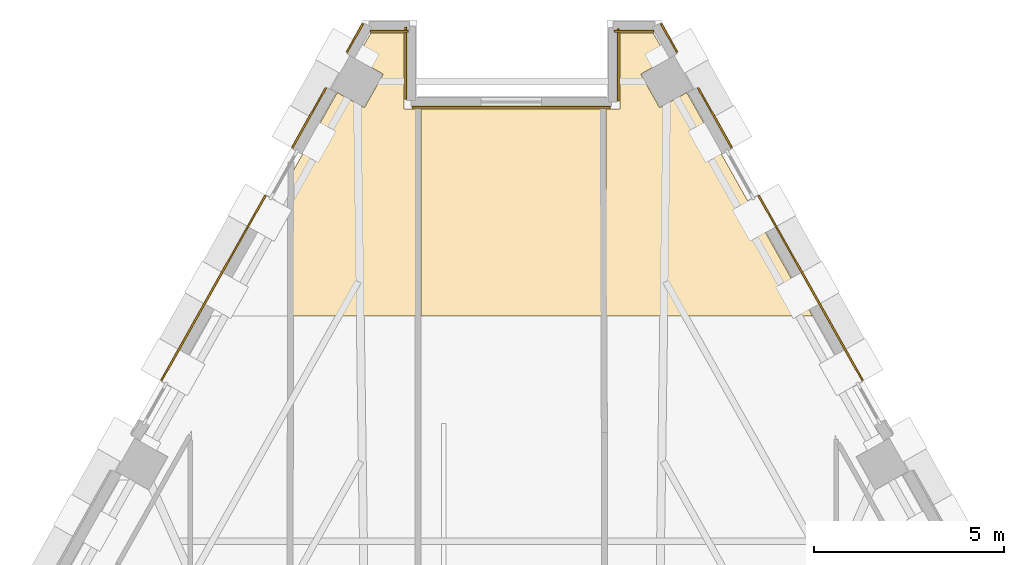
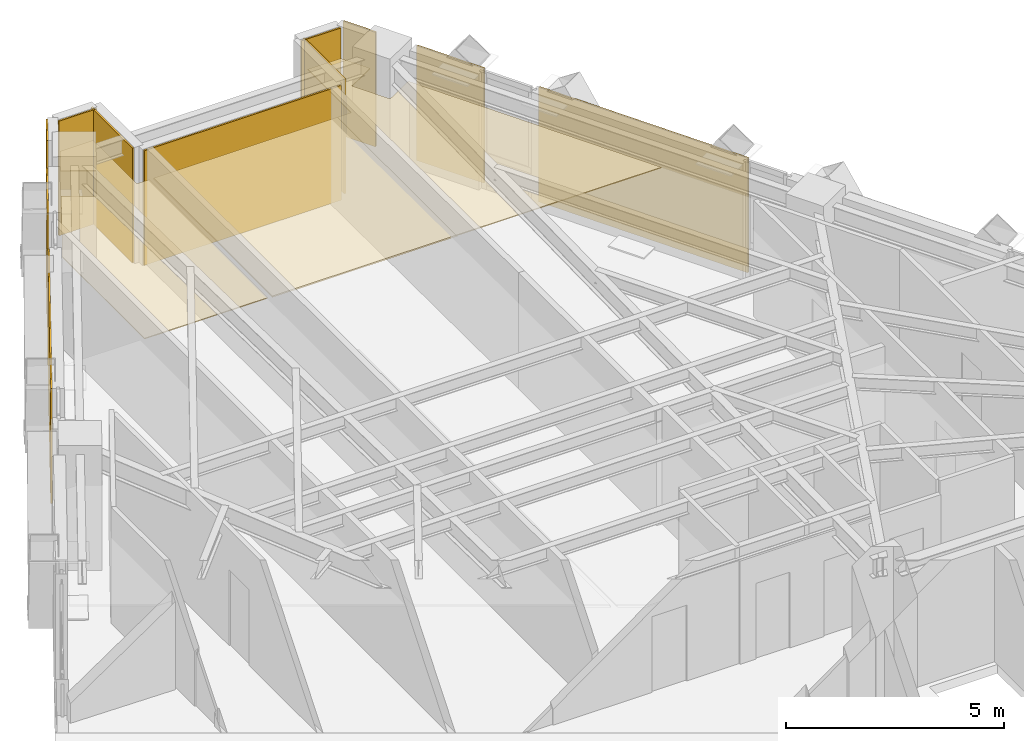
# One storey, part 13 of 13: 14 coverings.
"""IFC4 building model written with IfcOpenShell, lengths in metres."""

import ifcopenshell
import ifcopenshell.guid

model = None  # the IFC model being written
_history = None  # IfcOwnerHistory: only IFC2X3 demands one
_inside = {}  # id of a spatial element -> (the spatial element, [elements in it])
_under = {}  # id of a project, library or spatial element -> (it, [spatial elements below it])
_declared = {}  # id of a project -> (the project, [libraries it declares])
_typed = {}  # id of a type object -> (the type object, [elements of that type])
_made_of = {}  # id of a material, layer set ... -> (it, [elements and type objects made of it])


def new_model(schema):
    """Start an empty IFC model of exactly this schema.

    Asked for "IFC4X3", IfcOpenShell would pick the latest addendum, in which some entities
    have other attributes; the version numbers below select the first issue.
    IFC2X3 requires an IfcOwnerHistory on every rooted entity: one is made here for all.
    """
    global model, _history
    if schema == "IFC4X3":
        model = ifcopenshell.file(schema_version=(4, 3, 0, 0))
    else:
        model = ifcopenshell.file(schema=schema)
    _inside.clear()
    _under.clear()
    _declared.clear()
    _typed.clear()
    _made_of.clear()
    _history = None
    if model.schema == "IFC2X3":
        org = make("IfcOrganization", Name="unknown")
        user = make(
            "IfcPersonAndOrganization",
            ThePerson=make("IfcPerson", FamilyName="unknown"),
            TheOrganization=org,
        )
        app = make(
            "IfcApplication",
            ApplicationDeveloper=org,
            Version="unknown",
            ApplicationFullName="unknown",
            ApplicationIdentifier="unknown",
        )
        _history = make(
            "IfcOwnerHistory",
            OwningUser=user,
            OwningApplication=app,
            ChangeAction="ADDED",
            CreationDate=0,
        )
    return model


def make(cls, **values):
    """One entity of the class cls with the attributes given. An attribute that is None is left unset."""
    return model.create_entity(
        cls, **{name: value for name, value in values.items() if value is not None}
    )


def rooted(cls, **values):
    """An entity with a GlobalId (a new one), such as an element, a storey or a relation."""
    return make(cls, GlobalId=ifcopenshell.guid.new(), OwnerHistory=_history, **values)


def si_unit(unit_type, name, prefix=None):
    """IfcSIUnit, for example si_unit("LENGTHUNIT", "METRE", prefix="MILLI")."""
    return make("IfcSIUnit", UnitType=unit_type, Prefix=prefix, Name=name)


def assignment(units):
    """IfcUnitAssignment: the units of a project."""
    return None if units is None else make("IfcUnitAssignment", Units=units)


def point(xyz):
    """IfcCartesianPoint."""
    return None if xyz is None else make("IfcCartesianPoint", Coordinates=xyz)


def direction(xyz):
    """IfcDirection."""
    return None if xyz is None else make("IfcDirection", DirectionRatios=xyz)


def frame(location, z_axis=None, x_axis=None):
    """IfcAxis2Placement3D, a coordinate frame: its origin and axes. An axis left out is left unset."""
    return make(
        "IfcAxis2Placement3D",
        Location=point(location),
        Axis=direction(z_axis),
        RefDirection=direction(x_axis),
    )


def origin():
    """The frame at (0, 0, 0) with its axes left unset."""
    return frame((0.0, 0.0, 0.0))


def place(relative_to, where):
    """IfcLocalPlacement: puts the frame where relative to a parent placement (None: the world)."""
    return make(
        "IfcLocalPlacement", PlacementRelTo=relative_to, RelativePlacement=where
    )


def context(
    kind, dimensions, precision=None, world=None, true_north=None, identifier=None
):
    """IfcGeometricRepresentationContext, for example the 3D "Model" context."""
    return make(
        "IfcGeometricRepresentationContext",
        ContextIdentifier=identifier,
        ContextType=kind,
        CoordinateSpaceDimension=dimensions,
        Precision=precision,
        WorldCoordinateSystem=world,
        TrueNorth=true_north,
    )


def subcontext(parent, identifier, kind, view, scale=None):
    """IfcGeometricRepresentationSubContext, for example "Body" below "Model"."""
    return make(
        "IfcGeometricRepresentationSubContext",
        ContextIdentifier=identifier,
        ContextType=kind,
        ParentContext=parent,
        TargetScale=scale,
        TargetView=view,
    )


def project(units=None, contexts=None):
    """IfcProject with its units and contexts."""
    return rooted(
        "IfcProject",
        Name="project",
        RepresentationContexts=contexts,
        UnitsInContext=assignment(units),
    )


def spatial(cls, under=None, at=None, **own):
    """A site, building, storey or space (cls), placed at a placement, below another one or the project."""
    s = rooted(cls, ObjectPlacement=at, **own)
    if under is not None:
        _under.setdefault(under.id(), (under, []))[1].append(s)
    return s


def polyline(points):
    """IfcPolyline through the points."""
    return make("IfcPolyline", Points=[point(p) for p in points])


def outline(outer, holes=None, kind="AREA"):
    """IfcArbitraryClosedProfileDef: a profile drawn as a closed curve; with holes, ...WithVoids."""
    if holes is None:
        return make("IfcArbitraryClosedProfileDef", ProfileType=kind, OuterCurve=outer)
    return make(
        "IfcArbitraryProfileDefWithVoids",
        ProfileType=kind,
        OuterCurve=outer,
        InnerCurves=holes,
    )


def extrude(swept, where, along, depth):
    """IfcExtrudedAreaSolid: the profile swept, set in the frame where, extruded along a direction by depth."""
    return make(
        "IfcExtrudedAreaSolid",
        SweptArea=swept,
        Position=where,
        ExtrudedDirection=direction(along),
        Depth=depth,
    )


def shape(context_of_items, identifier, shape_type, items):
    """IfcShapeRepresentation: the items that make up one representation, for example the "Body"."""
    return make(
        "IfcShapeRepresentation",
        ContextOfItems=context_of_items,
        RepresentationIdentifier=identifier,
        RepresentationType=shape_type,
        Items=items,
    )


def material(Name=None, Category=None):
    """IfcMaterial."""
    return make("IfcMaterial", Name=Name, Category=Category)


def layer(
    of_material, thickness, ventilated=None, Name=None, Category=None, Priority=None
):
    """IfcMaterialLayer: one layer of a wall or slab, of a material (None: an air gap)."""
    return make(
        "IfcMaterialLayer",
        Material=of_material,
        LayerThickness=thickness,
        IsVentilated=ventilated,
        Name=Name,
        Category=Category,
        Priority=Priority,
    )


def layer_set(layers, Name=None):
    """IfcMaterialLayerSet."""
    return make("IfcMaterialLayerSet", MaterialLayers=layers, LayerSetName=Name)


def made_of(thing, what):
    """Note that an element or type object is made of a material, layer set ...; save() writes the relation."""
    if what is not None:
        _made_of.setdefault(what.id(), (what, []))[1].append(thing)
    return thing


def type_object(cls, material=None, **own):
    """A type object (cls), such as IfcWallType, which elements share."""
    return made_of(rooted(cls, **own), material)


def element(
    cls,
    number,
    at=None,
    inside=None,
    cuts=None,
    type_object=None,
    material=None,
    context=None,
    identifier="Body",
    shape_type=None,
    held_by="IfcProductDefinitionShape",
    body=None,
    shapes=None,
    **own,
):
    """One element of the class cls, such as IfcWall. Its Tag is "e" and its number.

    at: its placement. inside: the storey or other place that contains it. cuts: it is an
    opening in that element (IfcRelVoidsElement). A single representation is given by context,
    identifier, shape_type and body (its items); several are given by shapes. held_by: the class
    of the entity that holds the representations. save() writes the other relations.
    """
    e = rooted(cls, Tag="e%d" % number, ObjectPlacement=at, **own)
    if body is not None:
        shapes = [shape(context, identifier, shape_type, body)]
    if shapes is not None:
        e.Representation = make(held_by, Representations=shapes)
    if inside is not None:
        _inside.setdefault(inside.id(), (inside, []))[1].append(e)
    if cuts is not None:
        rooted(
            "IfcRelVoidsElement", RelatingBuildingElement=cuts, RelatedOpeningElement=e
        )
    if type_object is not None:
        _typed.setdefault(type_object.id(), (type_object, []))[1].append(e)
    return made_of(e, material)


def aggregate(whole, parts):
    """IfcRelAggregates: a whole, such as a stair, and the parts it consists of."""
    return rooted("IfcRelAggregates", RelatingObject=whole, RelatedObjects=parts)


def save(model, path):
    """Write the relations noted so far, then the file.

    IfcRelAggregates (storeys below a building ...), IfcRelContainedInSpatialStructure (elements
    in a storey), IfcRelDefinesByType, IfcRelAssociatesMaterial and IfcRelDeclares: one each for
    every whole, place, type object, material and project.
    """
    for whole, parts in _under.values():
        aggregate(whole, parts)
    for where, things in _inside.values():
        rooted(
            "IfcRelContainedInSpatialStructure",
            RelatedElements=things,
            RelatingStructure=where,
        )
    for kind, things in _typed.values():
        rooted("IfcRelDefinesByType", RelatedObjects=things, RelatingType=kind)
    for what, things in _made_of.values():
        rooted("IfcRelAssociatesMaterial", RelatedObjects=things, RelatingMaterial=what)
    for by, libraries in _declared.values():
        rooted("IfcRelDeclares", RelatingContext=by, RelatedDefinitions=libraries)
    model.write(path)


model = new_model("IFC4")

# Units and contexts
model_context = context("Model", 3, precision=1e-05, world=origin(), true_north=direction((0.0, 1.0)))
body_context = subcontext(model_context, "Body", "Model", "MODEL_VIEW")
ifc_project = project(units=[si_unit("LENGTHUNIT", "METRE"), si_unit("AREAUNIT", "SQUARE_METRE"), si_unit("VOLUMEUNIT", "CUBIC_METRE"), si_unit("PLANEANGLEUNIT", "RADIAN"), si_unit("MASSUNIT", "GRAM", prefix="KILO")], contexts=[model_context])

# Site, building, storey
site_placement = place(None, origin())
site = spatial("IfcSite", under=ifc_project, at=site_placement, CompositionType="ELEMENT")
building_placement = place(site_placement, origin())
building = spatial("IfcBuilding", under=site, at=building_placement, Name="Quenlor Broadcast Tower", CompositionType="ELEMENT")
storey_placement = place(building_placement, frame((0.0, 0.0, 172.0)))
storey = spatial("IfcBuildingStorey", under=building, at=storey_placement, Name="L47", CompositionType="ELEMENT", Elevation=172.0)

# Coverings
ifc_material_1 = material(Name="Acoustic Mineral Fibre Board", Category="other")
ifc_layer_1 = layer(ifc_material_1, 0.02490234375)
ifc_layer_set_1 = layer_set([ifc_layer_1], Name="Acoustic Perforated Mineral Tile Ceiling 25")
covering_type_1 = type_object("IfcCoveringType", Name="Acoustic Perforated Mineral Tile Ceiling 25", PredefinedType="CEILING", material=ifc_layer_set_1)
covering_1_placement = place(storey_placement, frame((0.0, 0.0, 2.375)))
element("IfcCovering", 1, at=covering_1_placement, inside=storey, type_object=covering_type_1, Name="L47 Acoustic Ceiling L47-28-2", PredefinedType="CEILING", context=body_context, shape_type="SweptSolid", body=[
    extrude(outline(polyline([(2.469970703125, 18.10009765625), (2.840087890625, 18.10009765625), (2.840087890625, 20.10009765625), (3.71630859375, 20.10009765625), (4.100341796875, 19.416748046875), (3.387451171875, 19.015869140625), (3.885498046875, 18.13037109375), (4.598388671875, 18.53125), (7.90673828125, 12.64990234375), (2.469970703125, 12.64990234375), (2.469970703125, 18.10009765625)])), origin(), (0.0, 0.0, 1.0), 0.02490234375),
])
covering_2_placement = place(storey_placement, frame((0.0, 0.0, 2.375)))
element("IfcCovering", 2, at=covering_2_placement, inside=storey, type_object=covering_type_1, Name="L47 Acoustic Ceiling L47-30-2", PredefinedType="CEILING", context=body_context, shape_type="SweptSolid", body=[
    extrude(outline(polyline([(-2.5146484375, 12.64990234375), (-5.780029296875, 12.64990234375), (-5.780029296875, 16.430908203125), (-4.598388671875, 18.53125), (-3.885498046875, 18.13037109375), (-3.387451171875, 19.015869140625), (-4.100341796875, 19.416748046875), (-3.71630859375, 20.10009765625), (-2.840087890625, 20.10009765625), (-2.840087890625, 18.10009765625), (-2.5146484375, 18.10009765625), (-2.5146484375, 12.64990234375)])), origin(), (0.0, 0.0, 1.0), 0.02490234375),
])
ifc_material_2 = material(Name="Acoustic Gypsum Board", Category="other")
ifc_layer_2 = layer(ifc_material_2, 0.0400390625)
ifc_layer_set_2 = layer_set([ifc_layer_2], Name="Broadcast Studio Spring Isolated Ceiling 40")
covering_type_2 = type_object("IfcCoveringType", Name="Broadcast Studio Spring Isolated Ceiling 40", PredefinedType="CEILING", material=ifc_layer_set_2)
covering_3_placement = place(storey_placement, frame((0.0, 0.0, 2.360107421875)))
element("IfcCovering", 3, at=covering_3_placement, inside=storey, type_object=covering_type_2, Name="L47 Acoustic Ceiling L47-29-2", PredefinedType="CEILING", context=body_context, shape_type="SweptSolid", body=[
    extrude(outline(polyline([(-2.394775390625, 18.10009765625), (2.5, 18.10009765625), (2.5, 12.64990234375), (-2.394775390625, 12.64990234375), (-2.394775390625, 18.10009765625)])), origin(), (0.0, 0.0, 1.0), 0.039794921875),
])
ifc_material_3 = material(Name="Architectural Terracotta Ceramic", Category="masonry")
ifc_layer_3 = layer(ifc_material_3, 0.044921875)
ifc_layer_set_3 = layer_set([ifc_layer_3], Name="Fluted Terracotta Rainscreen Cladding Panel")
covering_type_3 = type_object("IfcCoveringType", Name="Fluted Terracotta Rainscreen Cladding Panel", PredefinedType="CLADDING", material=ifc_layer_set_3)
covering_4_placement = place(storey_placement, frame((0.0, 0.0, 0.02001953125)))
element("IfcCovering", 4, at=covering_4_placement, inside=storey, type_object=covering_type_3, Name="L47 Terracotta Rainscreen Cladding L47-SHD-NES0", PredefinedType="CLADDING", context=body_context, shape_type="SweptSolid", body=[
    extrude(outline(polyline([(3.904296875, 20.330810546875), (4.32861328125, 19.576171875), (4.367919921875, 19.59814453125), (3.943359375, 20.352783203125), (3.904296875, 20.330810546875)])), origin(), (0.0, 0.0, 1.0), 3.2099609375),
])
covering_5_placement = place(storey_placement, frame((0.0, 0.0, 0.02001953125)))
element("IfcCovering", 5, at=covering_5_placement, inside=storey, type_object=covering_type_3, Name="L47 Terracotta Rainscreen Cladding L47-NEA-SP1", PredefinedType="CLADDING", context=body_context, shape_type="SweptSolid", body=[
    extrude(outline(polyline([(4.880615234375, 18.635986328125), (5.760986328125, 17.070556640625), (5.80029296875, 17.092529296875), (4.919677734375, 18.657958984375), (4.880615234375, 18.635986328125)])), origin(), (0.0, 0.0, 1.0), 3.2099609375),
])
covering_6_placement = place(storey_placement, frame((0.0, 0.0, 0.02001953125)))
element("IfcCovering", 6, at=covering_6_placement, inside=storey, type_object=covering_type_3, Name="L47 Terracotta Rainscreen Cladding L47-NEA-SP2", PredefinedType="CLADDING", context=body_context, shape_type="SweptSolid", body=[
    extrude(outline(polyline([(6.4716796875, 15.806884765625), (9.208984375, 10.940673828125), (9.248291015625, 10.962646484375), (6.510986328125, 15.8291015625), (6.4716796875, 15.806884765625)])), origin(), (0.0, 0.0, 1.0), 3.2099609375),
])
covering_7_placement = place(storey_placement, frame((0.0, 0.0, 0.02001953125)))
element("IfcCovering", 7, at=covering_7_placement, inside=storey, type_object=covering_type_3, Name="L47 Terracotta Rainscreen Cladding L47-SHD-NWS1", PredefinedType="CLADDING", context=body_context, shape_type="SweptSolid", body=[
    extrude(outline(polyline([(-4.32861328125, 19.576171875), (-3.904296875, 20.330810546875), (-3.943359375, 20.352783203125), (-4.367919921875, 19.59814453125), (-4.32861328125, 19.576171875)])), origin(), (0.0, 0.0, 1.0), 3.2099609375),
])
covering_8_placement = place(storey_placement, frame((0.0, 0.0, 0.02001953125)))
element("IfcCovering", 8, at=covering_8_placement, inside=storey, type_object=covering_type_3, Name="L47 Terracotta Rainscreen Cladding L47-NWC-SP2", PredefinedType="CLADDING", context=body_context, shape_type="SweptSolid", body=[
    extrude(outline(polyline([(-9.208984375, 10.940673828125), (-6.4716796875, 15.806884765625), (-6.510986328125, 15.8291015625), (-9.248291015625, 10.962646484375), (-9.208984375, 10.940673828125)])), origin(), (0.0, 0.0, 1.0), 3.2099609375),
])
covering_9_placement = place(storey_placement, frame((0.0, 0.0, 0.02001953125)))
element("IfcCovering", 9, at=covering_9_placement, inside=storey, type_object=covering_type_3, Name="L47 Terracotta Rainscreen Cladding L47-NWC-SP3", PredefinedType="CLADDING", context=body_context, shape_type="SweptSolid", body=[
    extrude(outline(polyline([(-5.760986328125, 17.070556640625), (-4.880615234375, 18.635986328125), (-4.919677734375, 18.657958984375), (-5.80029296875, 17.092529296875), (-5.760986328125, 17.070556640625)])), origin(), (0.0, 0.0, 1.0), 3.2099609375),
])
covering_10_placement = place(storey_placement, frame((0.0, 0.0, 0.02001953125)))
element("IfcCovering", 10, at=covering_10_placement, inside=storey, type_object=covering_type_3, Name="L47 Terracotta Rainscreen Cladding L47-CNR-06", PredefinedType="CLADDING", context=body_context, shape_type="SweptSolid", body=[
    extrude(outline(polyline([(3.7314453125, 20.16796875), (2.68994140625, 20.16796875), (2.68994140625, 20.123046875), (3.7314453125, 20.123046875), (3.7314453125, 20.16796875)])), origin(), (0.0, 0.0, 1.0), 3.2099609375),
])
covering_11_placement = place(storey_placement, frame((0.0, 0.0, 0.02001953125)))
element("IfcCovering", 11, at=covering_11_placement, inside=storey, type_object=covering_type_3, Name="L47 Terracotta Rainscreen Cladding L47-CNR-07", PredefinedType="CLADDING", context=body_context, shape_type="SweptSolid", body=[
    extrude(outline(polyline([(2.77197265625, 20.2099609375), (2.77197265625, 18.31005859375), (2.81689453125, 18.31005859375), (2.81689453125, 20.2099609375), (2.77197265625, 20.2099609375)])), origin(), (0.0, 0.0, 1.0), 3.2099609375),
])
covering_12_placement = place(storey_placement, frame((0.0, 0.0, 0.02001953125)))
element("IfcCovering", 12, at=covering_12_placement, inside=storey, type_object=covering_type_3, Name="L47 Terracotta Rainscreen Cladding L47-CNR-08", PredefinedType="CLADDING", context=body_context, shape_type="SweptSolid", body=[
    extrude(outline(polyline([(2.590087890625, 18.16796875), (-2.6298828125, 18.16796875), (-2.6298828125, 18.123046875), (2.590087890625, 18.123046875), (2.590087890625, 18.16796875)])), origin(), (0.0, 0.0, 1.0), 3.2099609375),
])
covering_13_placement = place(storey_placement, frame((0.0, 0.0, 0.02001953125)))
element("IfcCovering", 13, at=covering_13_placement, inside=storey, type_object=covering_type_3, Name="L47 Terracotta Rainscreen Cladding L47-CNR-09", PredefinedType="CLADDING", context=body_context, shape_type="SweptSolid", body=[
    extrude(outline(polyline([(-2.77197265625, 18.35009765625), (-2.77197265625, 20.25), (-2.81689453125, 20.25), (-2.81689453125, 18.35009765625), (-2.77197265625, 18.35009765625)])), origin(), (0.0, 0.0, 1.0), 3.2099609375),
])
covering_14_placement = place(storey_placement, frame((0.0, 0.0, 0.02001953125)))
element("IfcCovering", 14, at=covering_14_placement, inside=storey, type_object=covering_type_3, Name="L47 Terracotta Rainscreen Cladding L47-CNR-10", PredefinedType="CLADDING", context=body_context, shape_type="SweptSolid", body=[
    extrude(outline(polyline([(-2.72998046875, 20.16796875), (-3.7314453125, 20.16796875), (-3.7314453125, 20.123046875), (-2.72998046875, 20.123046875), (-2.72998046875, 20.16796875)])), origin(), (0.0, 0.0, 1.0), 3.2099609375),
])

save(model, "model.ifc")
